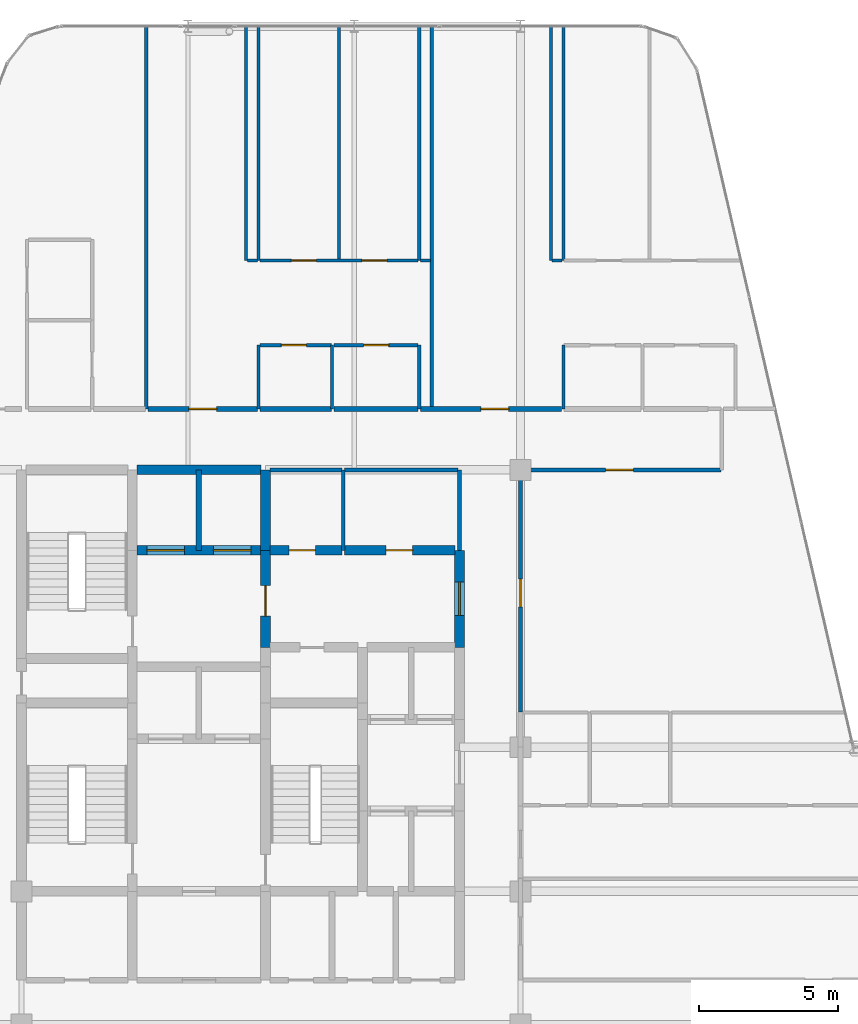
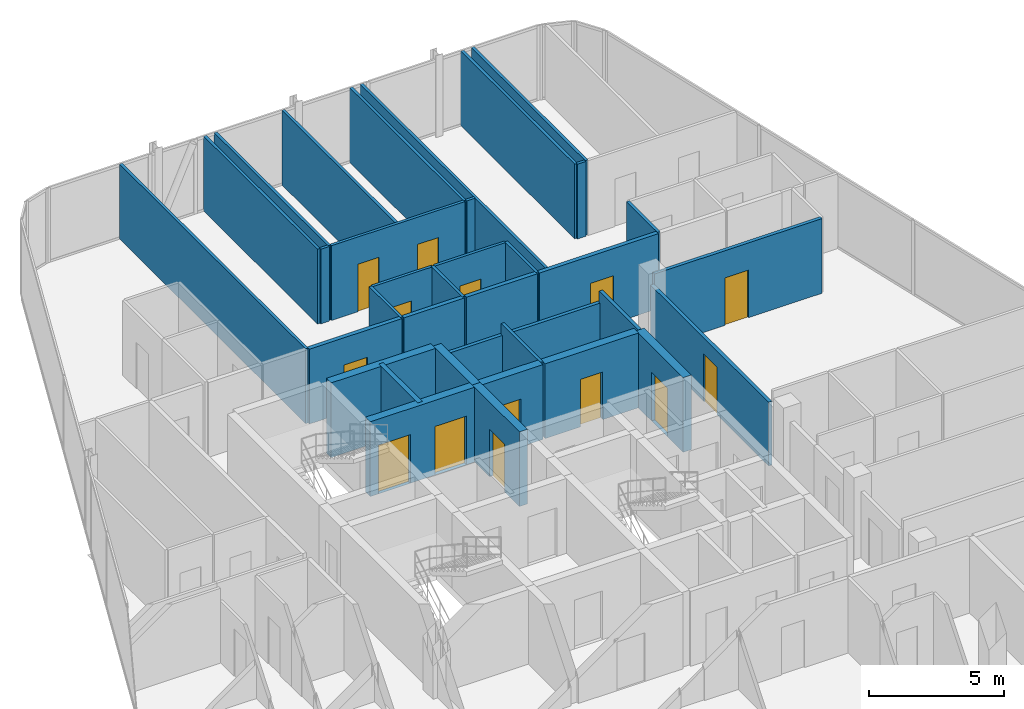
# One storey, part 27 of 29: 36 walls, 14 doors, 14 openings.
"""IFC4 building model written with IfcOpenShell, lengths in metres."""

import ifcopenshell
import ifcopenshell.guid

model = None  # the IFC model being written
_history = None  # IfcOwnerHistory: only IFC2X3 demands one
_inside = {}  # id of a spatial element -> (the spatial element, [elements in it])
_under = {}  # id of a project, library or spatial element -> (it, [spatial elements below it])
_declared = {}  # id of a project -> (the project, [libraries it declares])
_typed = {}  # id of a type object -> (the type object, [elements of that type])
_made_of = {}  # id of a material, layer set ... -> (it, [elements and type objects made of it])


def new_model(schema):
    """Start an empty IFC model of exactly this schema.

    Asked for "IFC4X3", IfcOpenShell would pick the latest addendum, in which some entities
    have other attributes; the version numbers below select the first issue.
    IFC2X3 requires an IfcOwnerHistory on every rooted entity: one is made here for all.
    """
    global model, _history
    if schema == "IFC4X3":
        model = ifcopenshell.file(schema_version=(4, 3, 0, 0))
    else:
        model = ifcopenshell.file(schema=schema)
    _inside.clear()
    _under.clear()
    _declared.clear()
    _typed.clear()
    _made_of.clear()
    _history = None
    if model.schema == "IFC2X3":
        org = make("IfcOrganization", Name="unknown")
        user = make(
            "IfcPersonAndOrganization",
            ThePerson=make("IfcPerson", FamilyName="unknown"),
            TheOrganization=org,
        )
        app = make(
            "IfcApplication",
            ApplicationDeveloper=org,
            Version="unknown",
            ApplicationFullName="unknown",
            ApplicationIdentifier="unknown",
        )
        _history = make(
            "IfcOwnerHistory",
            OwningUser=user,
            OwningApplication=app,
            ChangeAction="ADDED",
            CreationDate=0,
        )
    return model


def make(cls, **values):
    """One entity of the class cls with the attributes given. An attribute that is None is left unset."""
    return model.create_entity(
        cls, **{name: value for name, value in values.items() if value is not None}
    )


def rooted(cls, **values):
    """An entity with a GlobalId (a new one), such as an element, a storey or a relation."""
    return make(cls, GlobalId=ifcopenshell.guid.new(), OwnerHistory=_history, **values)


def si_unit(unit_type, name, prefix=None):
    """IfcSIUnit, for example si_unit("LENGTHUNIT", "METRE", prefix="MILLI")."""
    return make("IfcSIUnit", UnitType=unit_type, Prefix=prefix, Name=name)


def assignment(units):
    """IfcUnitAssignment: the units of a project."""
    return None if units is None else make("IfcUnitAssignment", Units=units)


def point(xyz):
    """IfcCartesianPoint."""
    return None if xyz is None else make("IfcCartesianPoint", Coordinates=xyz)


def direction(xyz):
    """IfcDirection."""
    return None if xyz is None else make("IfcDirection", DirectionRatios=xyz)


def frame(location, z_axis=None, x_axis=None):
    """IfcAxis2Placement3D, a coordinate frame: its origin and axes. An axis left out is left unset."""
    return make(
        "IfcAxis2Placement3D",
        Location=point(location),
        Axis=direction(z_axis),
        RefDirection=direction(x_axis),
    )


def frame_2d(location, x_axis=None):
    """IfcAxis2Placement2D, a coordinate frame in the plane: its origin and x axis."""
    return make(
        "IfcAxis2Placement2D", Location=point(location), RefDirection=direction(x_axis)
    )


def origin():
    """The frame at (0, 0, 0) with its axes left unset."""
    return frame((0.0, 0.0, 0.0))


def place(relative_to, where):
    """IfcLocalPlacement: puts the frame where relative to a parent placement (None: the world)."""
    return make(
        "IfcLocalPlacement", PlacementRelTo=relative_to, RelativePlacement=where
    )


def context(
    kind, dimensions, precision=None, world=None, true_north=None, identifier=None
):
    """IfcGeometricRepresentationContext, for example the 3D "Model" context."""
    return make(
        "IfcGeometricRepresentationContext",
        ContextIdentifier=identifier,
        ContextType=kind,
        CoordinateSpaceDimension=dimensions,
        Precision=precision,
        WorldCoordinateSystem=world,
        TrueNorth=true_north,
    )


def subcontext(parent, identifier, kind, view, scale=None):
    """IfcGeometricRepresentationSubContext, for example "Body" below "Model"."""
    return make(
        "IfcGeometricRepresentationSubContext",
        ContextIdentifier=identifier,
        ContextType=kind,
        ParentContext=parent,
        TargetScale=scale,
        TargetView=view,
    )


def project(units=None, contexts=None):
    """IfcProject with its units and contexts."""
    return rooted(
        "IfcProject",
        Name="project",
        RepresentationContexts=contexts,
        UnitsInContext=assignment(units),
    )


def spatial(cls, under=None, at=None, **own):
    """A site, building, storey or space (cls), placed at a placement, below another one or the project."""
    s = rooted(cls, ObjectPlacement=at, **own)
    if under is not None:
        _under.setdefault(under.id(), (under, []))[1].append(s)
    return s


def profile(cls, at=None, kind="AREA", **sizes):
    """A parametric profile (cls). Its sizes go by their IFC names, for example OverallWidth=200.0."""
    return make(cls, ProfileType=kind, Position=at, **sizes)


def rectangle(**sizes):
    """IfcRectangleProfileDef."""
    return profile("IfcRectangleProfileDef", **sizes)


def extrude(swept, where, along, depth):
    """IfcExtrudedAreaSolid: the profile swept, set in the frame where, extruded along a direction by depth."""
    return make(
        "IfcExtrudedAreaSolid",
        SweptArea=swept,
        Position=where,
        ExtrudedDirection=direction(along),
        Depth=depth,
    )


def shape(context_of_items, identifier, shape_type, items):
    """IfcShapeRepresentation: the items that make up one representation, for example the "Body"."""
    return make(
        "IfcShapeRepresentation",
        ContextOfItems=context_of_items,
        RepresentationIdentifier=identifier,
        RepresentationType=shape_type,
        Items=items,
    )


def material(Name=None, Category=None):
    """IfcMaterial."""
    return make("IfcMaterial", Name=Name, Category=Category)


def layer(
    of_material, thickness, ventilated=None, Name=None, Category=None, Priority=None
):
    """IfcMaterialLayer: one layer of a wall or slab, of a material (None: an air gap)."""
    return make(
        "IfcMaterialLayer",
        Material=of_material,
        LayerThickness=thickness,
        IsVentilated=ventilated,
        Name=Name,
        Category=Category,
        Priority=Priority,
    )


def layer_set(layers, Name=None):
    """IfcMaterialLayerSet."""
    return make("IfcMaterialLayerSet", MaterialLayers=layers, LayerSetName=Name)


def made_of(thing, what):
    """Note that an element or type object is made of a material, layer set ...; save() writes the relation."""
    if what is not None:
        _made_of.setdefault(what.id(), (what, []))[1].append(thing)
    return thing


def type_object(cls, material=None, **own):
    """A type object (cls), such as IfcWallType, which elements share."""
    return made_of(rooted(cls, **own), material)


def element(
    cls,
    number,
    at=None,
    inside=None,
    cuts=None,
    type_object=None,
    material=None,
    context=None,
    identifier="Body",
    shape_type=None,
    held_by="IfcProductDefinitionShape",
    body=None,
    shapes=None,
    **own,
):
    """One element of the class cls, such as IfcWall. Its Tag is "e" and its number.

    at: its placement. inside: the storey or other place that contains it. cuts: it is an
    opening in that element (IfcRelVoidsElement). A single representation is given by context,
    identifier, shape_type and body (its items); several are given by shapes. held_by: the class
    of the entity that holds the representations. save() writes the other relations.
    """
    e = rooted(cls, Tag="e%d" % number, ObjectPlacement=at, **own)
    if body is not None:
        shapes = [shape(context, identifier, shape_type, body)]
    if shapes is not None:
        e.Representation = make(held_by, Representations=shapes)
    if inside is not None:
        _inside.setdefault(inside.id(), (inside, []))[1].append(e)
    if cuts is not None:
        rooted(
            "IfcRelVoidsElement", RelatingBuildingElement=cuts, RelatedOpeningElement=e
        )
    if type_object is not None:
        _typed.setdefault(type_object.id(), (type_object, []))[1].append(e)
    return made_of(e, material)


def fill(opening, filler):
    """IfcRelFillsElement: the door or window that sits in an opening."""
    return rooted(
        "IfcRelFillsElement",
        RelatingOpeningElement=opening,
        RelatedBuildingElement=filler,
    )


def aggregate(whole, parts):
    """IfcRelAggregates: a whole, such as a stair, and the parts it consists of."""
    return rooted("IfcRelAggregates", RelatingObject=whole, RelatedObjects=parts)


def save(model, path):
    """Write the relations noted so far, then the file.

    IfcRelAggregates (storeys below a building ...), IfcRelContainedInSpatialStructure (elements
    in a storey), IfcRelDefinesByType, IfcRelAssociatesMaterial and IfcRelDeclares: one each for
    every whole, place, type object, material and project.
    """
    for whole, parts in _under.values():
        aggregate(whole, parts)
    for where, things in _inside.values():
        rooted(
            "IfcRelContainedInSpatialStructure",
            RelatedElements=things,
            RelatingStructure=where,
        )
    for kind, things in _typed.values():
        rooted("IfcRelDefinesByType", RelatedObjects=things, RelatingType=kind)
    for what, things in _made_of.values():
        rooted("IfcRelAssociatesMaterial", RelatedObjects=things, RelatingMaterial=what)
    for by, libraries in _declared.values():
        rooted("IfcRelDeclares", RelatingContext=by, RelatedDefinitions=libraries)
    model.write(path)


model = new_model("IFC4")

# Units and contexts
model_context = context("Model", 3, precision=1e-05, world=origin(), true_north=direction((0.0, 1.0)))
body_context = subcontext(model_context, "Body", "Model", "MODEL_VIEW")
ifc_project = project(units=[si_unit("LENGTHUNIT", "METRE"), si_unit("AREAUNIT", "SQUARE_METRE"), si_unit("VOLUMEUNIT", "CUBIC_METRE"), si_unit("PLANEANGLEUNIT", "RADIAN"), si_unit("MASSUNIT", "GRAM", prefix="KILO")], contexts=[model_context])

# Site, building, storey
site_placement = place(None, origin())
site = spatial("IfcSite", under=ifc_project, at=site_placement, CompositionType="ELEMENT")
building_placement = place(site_placement, origin())
building = spatial("IfcBuilding", under=site, at=building_placement, Name="Keshet Zoharim Tower", CompositionType="ELEMENT")
storey_placement = place(building_placement, frame((0.0, 0.0, 214.300048828125)))
storey = spatial("IfcBuildingStorey", under=building, at=storey_placement, Name="L53", CompositionType="ELEMENT", Elevation=214.300048828125)

# Wall
ifc_material_1 = material(Name="Gypsum Plasterboard", Category="gypsum")
ifc_layer_1 = layer(ifc_material_1, 0.14990234375)
ifc_layer_set_1 = layer_set([ifc_layer_1], Name="Gypsum Plasterboard")
wall_type_1 = type_object("IfcWallType", Name="WL-CLIN-150", PredefinedType="STANDARD", material=ifc_layer_set_1)
wall_1_placement = place(storey_placement, frame((30.800048828125, 35.0, 0.0), z_axis=(0.0, 0.0, 1.0), x_axis=(0.0, 1.0, 0.0)))
element("IfcWall", 1, at=wall_1_placement, inside=storey, type_object=wall_type_1, Name="L53 Interior Wall 066", PredefinedType="STANDARD", context=body_context, shape_type="SweptSolid", body=[
    extrude(rectangle(XDim=2.89990234375, YDim=0.14990234375, at=frame_2d((1.449951171875, 0.0))), origin(), (0.0, 0.0, 1.0), 3.3798828125),
])

# Wall, opening, door
wall_2_placement = place(storey_placement, frame((33.0, 29.159912109375, 0.0), z_axis=(0.0, 0.0, 1.0), x_axis=(0.0, 1.0, 0.0)))
wall_2 = element("IfcWall", 2, at=wall_2_placement, inside=storey, type_object=wall_type_1, Name="L53 Interior Wall 071", PredefinedType="STANDARD", context=body_context, shape_type="SweptSolid", body=[
    extrude(rectangle(XDim=8.739990234375, YDim=0.14990234375, at=frame_2d((4.3701171875, 0.0))), origin(), (0.0, 0.0, 1.0), 2.8798828125),
])
opening_1_placement = place(wall_2_placement, frame((3.799072265625, 0.0, 0.0)))
opening_1 = element("IfcOpeningElement", 3, at=opening_1_placement, cuts=wall_2, Name="Opening D-F310", PredefinedType="OPENING", context=body_context, shape_type="SweptSolid", body=[
    extrude(rectangle(XDim=1.0, YDim=2.14990234375, at=frame_2d((0.5, 1.074951171875))), frame((0.0, 0.0849609375, 0.0), z_axis=(0.0, -1.0, 0.0), x_axis=(1.0, 0.0, 0.0)), (0.0, 0.0, 1.0), 0.169921875),
])
ifc_material_2 = material(Name="Hardwood Timber", Category="wood")
door_type_1 = type_object("IfcDoorType", Name="DR-FD30-100", OperationType="NOTDEFINED", PredefinedType="DOOR", material=ifc_material_2)
door_1_placement = place(opening_1_placement, origin())
door_1 = element("IfcDoor", 4, at=door_1_placement, inside=storey, type_object=door_type_1, Name="L53 North West Residents Services Suite Door 1", OperationType="SINGLE_SWING_LEFT", OverallHeight=2.14990234375, OverallWidth=1.0, PredefinedType="DOOR", context=body_context, shape_type="SweptSolid", body=[
    extrude(rectangle(XDim=1.0, YDim=2.14990234375, at=frame_2d((0.5, 1.074951171875))), frame((0.0, 0.02490234375, 0.0), z_axis=(0.0, -1.0, 0.0), x_axis=(1.0, 0.0, 0.0)), (0.0, 0.0, 1.0), 0.050048828125),
])
fill(opening_1, door_1)

# Walls
wall_3_placement = place(storey_placement, frame((23.9599609375, 37.89990234375, 0.0), z_axis=(0.0, 0.0, 1.0), x_axis=(1.0, 0.0, 0.0)))
element("IfcWall", 5, at=wall_3_placement, inside=storey, type_object=wall_type_1, Name="L53 Interior Wall 176", PredefinedType="STANDARD", context=body_context, shape_type="SweptSolid", body=[
    extrude(rectangle(XDim=2.594970703125, YDim=0.14990234375, at=frame_2d((1.29736328125, 0.0))), origin(), (0.0, 0.0, 1.0), 2.8798828125),
])
wall_4_placement = place(storey_placement, frame((26.64501953125, 37.89990234375, 0.0), z_axis=(0.0, 0.0, 1.0), x_axis=(1.0, 0.0, 0.0)))
element("IfcWall", 6, at=wall_4_placement, inside=storey, type_object=wall_type_1, Name="L53 Interior Wall 177", PredefinedType="STANDARD", context=body_context, shape_type="SweptSolid", body=[
    extrude(rectangle(XDim=4.094970703125, YDim=0.14990234375, at=frame_2d((2.04736328125, 0.0))), origin(), (0.0, 0.0, 1.0), 2.8798828125),
])

# Wall, opening, door
wall_5_placement = place(storey_placement, frame((33.06005859375, 37.89990234375, 0.0), z_axis=(0.0, 0.0, 1.0), x_axis=(1.0, 0.0, 0.0)))
wall_5 = element("IfcWall", 7, at=wall_5_placement, inside=storey, type_object=wall_type_1, Name="L53 Interior Wall 178", PredefinedType="STANDARD", context=body_context, shape_type="SweptSolid", body=[
    extrude(rectangle(XDim=7.1640625, YDim=0.14990234375, at=frame_2d((3.58203125, 0.0))), origin(), (0.0, 0.0, 1.0), 3.3798828125),
])
opening_2_placement = place(wall_5_placement, frame((3.00390625, 0.0, 0.0)))
opening_2 = element("IfcOpeningElement", 8, at=opening_2_placement, cuts=wall_5, Name="Opening D-F310", PredefinedType="OPENING", context=body_context, shape_type="SweptSolid", body=[
    extrude(rectangle(XDim=1.0, YDim=2.14990234375, at=frame_2d((0.5, 1.074951171875))), frame((0.0, 0.0849609375, 0.0), z_axis=(0.0, -1.0, 0.0), x_axis=(1.0, 0.0, 0.0)), (0.0, 0.0, 1.0), 0.169921875),
])
door_2_placement = place(opening_2_placement, origin())
door_2 = element("IfcDoor", 9, at=door_2_placement, inside=storey, type_object=door_type_1, Name="L53 North West Residents Services Suite Door 2", OperationType="SINGLE_SWING_RIGHT", OverallHeight=2.14990234375, OverallWidth=1.0, PredefinedType="DOOR", context=body_context, shape_type="SweptSolid", body=[
    extrude(rectangle(XDim=1.0, YDim=2.14990234375, at=frame_2d((0.5, 1.074951171875))), frame((0.0, 0.02490234375, 0.0), z_axis=(0.0, -1.0, 0.0), x_axis=(1.0, 0.0, 0.0)), (0.0, 0.0, 1.0), 0.050048828125),
])
fill(opening_2, door_2)

ifc_material_3 = material(Name="Concrete C60/75", Category="concrete")
ifc_layer_2 = layer(ifc_material_3, 0.35009765625)
ifc_layer_set_2 = layer_set([ifc_layer_2], Name="Concrete C60/75")
wall_type_2 = type_object("IfcWallType", Name="WL-CORE-350", PredefinedType="SHEAR", material=ifc_layer_set_2)
wall_6_placement = place(storey_placement, frame((23.800048828125, 31.5, 0.0), z_axis=(0.0, 0.0, 1.0), x_axis=(0.0, 1.0, 0.0)))
wall_6 = element("IfcWall", 10, at=wall_6_placement, inside=storey, type_object=wall_type_2, Name="L53 Core Shear Wall 042", PredefinedType="SHEAR", context=body_context, shape_type="SweptSolid", body=[
    extrude(rectangle(XDim=3.5, YDim=0.35009765625, at=frame_2d((1.75, 0.0))), origin(), (0.0, 0.0, 1.0), 3.3798828125),
])
opening_3_placement = place(wall_6_placement, frame((1.126953125, 0.0, 0.0)))
opening_3 = element("IfcOpeningElement", 11, at=opening_3_placement, cuts=wall_6, Name="Opening D-F611", PredefinedType="OPENING", context=body_context, shape_type="SweptSolid", body=[
    extrude(rectangle(XDim=1.10009765625, YDim=2.14990234375, at=frame_2d((0.550048828125, 1.074951171875))), frame((0.0, 0.18505859375, 0.0), z_axis=(0.0, -1.0, 0.0), x_axis=(1.0, 0.0, 0.0)), (0.0, 0.0, 1.0), 0.3701171875),
])
door_type_2 = type_object("IfcDoorType", Name="DR-FD60-110", OperationType="NOTDEFINED", PredefinedType="DOOR", material=ifc_material_2)
door_3_placement = place(opening_3_placement, origin())
door_3 = element("IfcDoor", 12, at=door_3_placement, inside=storey, type_object=door_type_2, Name="L53 Firefighting Lobby Fire Door", OperationType="SINGLE_SWING_RIGHT", OverallHeight=2.14990234375, OverallWidth=1.10009765625, PredefinedType="DOOR", context=body_context, shape_type="SweptSolid", body=[
    extrude(rectangle(XDim=1.10009765625, YDim=2.14990234375, at=frame_2d((0.550048828125, 1.074951171875))), frame((0.0, 0.02490234375, 0.0), z_axis=(0.0, -1.0, 0.0), x_axis=(1.0, 0.0, 0.0)), (0.0, 0.0, 1.0), 0.050048828125),
])
fill(opening_3, door_3)

# Wall
wall_7_placement = place(storey_placement, frame((23.800048828125, 35.0, 0.0), z_axis=(0.0, 0.0, 1.0), x_axis=(0.0, 1.0, 0.0)))
element("IfcWall", 13, at=wall_7_placement, inside=storey, type_object=wall_type_2, Name="L53 Core Shear Wall 043", PredefinedType="SHEAR", context=body_context, shape_type="SweptSolid", body=[
    extrude(rectangle(XDim=2.89990234375, YDim=0.35009765625, at=frame_2d((1.449951171875, 0.0))), origin(), (0.0, 0.0, 1.0), 3.3798828125),
])

# Wall, opening, door
wall_8_placement = place(storey_placement, frame((30.800048828125, 31.5, 0.0), z_axis=(0.0, 0.0, 1.0), x_axis=(0.0, 1.0, 0.0)))
wall_8 = element("IfcWall", 14, at=wall_8_placement, inside=storey, type_object=wall_type_2, Name="L53 Core Shear Wall 065", PredefinedType="SHEAR", context=body_context, shape_type="SweptSolid", body=[
    extrude(rectangle(XDim=3.5, YDim=0.35009765625, at=frame_2d((1.75, 0.0))), origin(), (0.0, 0.0, 1.0), 3.3798828125),
])
opening_4_placement = place(wall_8_placement, frame((1.14990234375, 0.0, 0.0)))
opening_4 = element("IfcOpeningElement", 15, at=opening_4_placement, cuts=wall_8, Name="Opening D-F612", PredefinedType="OPENING", context=body_context, shape_type="SweptSolid", body=[
    extrude(rectangle(XDim=1.199951171875, YDim=2.199951171875, at=frame_2d((0.60009765625, 1.10009765625))), frame((0.0, 0.18505859375, 0.0), z_axis=(0.0, -1.0, 0.0), x_axis=(1.0, 0.0, 0.0)), (0.0, 0.0, 1.0), 0.3701171875),
])
door_type_3 = type_object("IfcDoorType", Name="DR-FD60-120", OperationType="NOTDEFINED", PredefinedType="DOOR", material=ifc_material_2)
door_4_placement = place(opening_4_placement, origin())
door_4 = element("IfcDoor", 16, at=door_4_placement, inside=storey, type_object=door_type_3, Name="L53 North Lift Lobby East Fire Door", OperationType="SINGLE_SWING_RIGHT", OverallHeight=2.199951171875, OverallWidth=1.199951171875, PredefinedType="DOOR", context=body_context, shape_type="SweptSolid", body=[
    extrude(rectangle(XDim=1.199951171875, YDim=2.199951171875, at=frame_2d((0.60009765625, 1.10009765625))), frame((0.0, 0.02490234375, 0.0), z_axis=(0.0, -1.0, 0.0), x_axis=(1.0, 0.0, 0.0)), (0.0, 0.0, 1.0), 0.050048828125),
])
fill(opening_4, door_4)

# Wall, openings, doors
wall_9_placement = place(storey_placement, frame((19.159912109375, 35.0, 0.0), z_axis=(0.0, 0.0, 1.0), x_axis=(1.0, 0.0, 0.0)))
wall_9 = element("IfcWall", 17, at=wall_9_placement, inside=storey, type_object=wall_type_2, Name="L53 Core Shear Wall 171", PredefinedType="SHEAR", context=body_context, shape_type="SweptSolid", body=[
    extrude(rectangle(XDim=4.47998046875, YDim=0.35009765625, at=frame_2d((2.239990234375, 0.0))), origin(), (0.0, 0.0, 1.0), 3.3798828125),
])
opening_5_placement = place(wall_9_placement, frame((0.364990234375, 0.0, 0.0)))
opening_5 = element("IfcOpeningElement", 18, at=opening_5_placement, cuts=wall_9, Name="Opening LD-02", PredefinedType="OPENING", context=body_context, shape_type="SweptSolid", body=[
    extrude(rectangle(XDim=1.35009765625, YDim=2.199951171875, at=frame_2d((0.675048828125, 1.10009765625))), frame((0.0, 0.18505859375, 0.0), z_axis=(0.0, -1.0, 0.0), x_axis=(1.0, 0.0, 0.0)), (0.0, 0.0, 1.0), 0.3701171875),
])
opening_6_placement = place(wall_9_placement, frame((2.764892578125, 0.0, 0.0)))
opening_6 = element("IfcOpeningElement", 19, at=opening_6_placement, cuts=wall_9, Name="Opening LD-02", PredefinedType="OPENING", context=body_context, shape_type="SweptSolid", body=[
    extrude(rectangle(XDim=1.35009765625, YDim=2.199951171875, at=frame_2d((0.675048828125, 1.10009765625))), frame((0.0, 0.18505859375, 0.0), z_axis=(0.0, -1.0, 0.0), x_axis=(1.0, 0.0, 0.0)), (0.0, 0.0, 1.0), 0.3701171875),
])
ifc_material_4 = material(Name="Steel S355", Category="steel")
door_type_4 = type_object("IfcDoorType", Name="DR-LD02-135", OperationType="DOUBLE_DOOR_SLIDING", PredefinedType="DOOR", material=ifc_material_4)
door_5_placement = place(opening_5_placement, origin())
door_5 = element("IfcDoor", 20, at=door_5_placement, inside=storey, type_object=door_type_4, Name="L53 Firefighting Lift Landing Door FF-01", OperationType="DOUBLE_DOOR_SLIDING", OverallHeight=2.199951171875, OverallWidth=1.35009765625, PredefinedType="DOOR", context=body_context, shape_type="SweptSolid", body=[
    extrude(rectangle(XDim=1.35009765625, YDim=2.199951171875, at=frame_2d((0.675048828125, 1.10009765625))), frame((0.0, 0.02490234375, 0.0), z_axis=(0.0, -1.0, 0.0), x_axis=(1.0, 0.0, 0.0)), (0.0, 0.0, 1.0), 0.050048828125),
])
fill(opening_5, door_5)
door_6_placement = place(opening_6_placement, origin())
door_6 = element("IfcDoor", 21, at=door_6_placement, inside=storey, type_object=door_type_4, Name="L53 Firefighting Lift Landing Door FF-02", OperationType="DOUBLE_DOOR_SLIDING", OverallHeight=2.199951171875, OverallWidth=1.35009765625, PredefinedType="DOOR", context=body_context, shape_type="SweptSolid", body=[
    extrude(rectangle(XDim=1.35009765625, YDim=2.199951171875, at=frame_2d((0.675048828125, 1.10009765625))), frame((0.0, 0.02490234375, 0.0), z_axis=(0.0, -1.0, 0.0), x_axis=(1.0, 0.0, 0.0)), (0.0, 0.0, 1.0), 0.050048828125),
])
fill(opening_6, door_6)

# Wall, opening, door
wall_10_placement = place(storey_placement, frame((23.9599609375, 35.0, 0.0), z_axis=(0.0, 0.0, 1.0), x_axis=(1.0, 0.0, 0.0)))
wall_10 = element("IfcWall", 22, at=wall_10_placement, inside=storey, type_object=wall_type_2, Name="L53 Core Shear Wall 172", PredefinedType="SHEAR", context=body_context, shape_type="SweptSolid", body=[
    extrude(rectangle(XDim=2.594970703125, YDim=0.35009765625, at=frame_2d((1.29736328125, 0.0))), origin(), (0.0, 0.0, 1.0), 3.3798828125),
])
opening_7_placement = place(wall_10_placement, frame((0.69091796875, 0.0, 0.0)))
opening_7 = element("IfcOpeningElement", 23, at=opening_7_placement, cuts=wall_10, Name="Opening D-F695", PredefinedType="OPENING", context=body_context, shape_type="SweptSolid", body=[
    extrude(rectangle(XDim=0.949951171875, YDim=2.14990234375, at=frame_2d((0.47509765625, 1.074951171875))), frame((0.0, 0.18505859375, 0.0), z_axis=(0.0, -1.0, 0.0), x_axis=(1.0, 0.0, 0.0)), (0.0, 0.0, 1.0), 0.3701171875),
])
door_type_5 = type_object("IfcDoorType", Name="DR-FD60-095", OperationType="NOTDEFINED", PredefinedType="DOOR", material=ifc_material_2)
door_7_placement = place(opening_7_placement, frame((0.949951171875, 0.0, 0.0), z_axis=(0.0, 0.0, 1.0), x_axis=(-1.0, 0.0, 0.0)))
door_7 = element("IfcDoor", 24, at=door_7_placement, inside=storey, type_object=door_type_5, Name="L53 Laundry Room Door", OperationType="SINGLE_SWING_RIGHT", OverallHeight=2.14990234375, OverallWidth=0.949951171875, PredefinedType="DOOR", context=body_context, shape_type="SweptSolid", body=[
    extrude(rectangle(XDim=0.949951171875, YDim=2.14990234375, at=frame_2d((0.47509765625, 1.074951171875))), frame((0.0, 0.02490234375, 0.0), z_axis=(0.0, -1.0, 0.0), x_axis=(1.0, 0.0, 0.0)), (0.0, 0.0, 1.0), 0.050048828125),
])
fill(opening_7, door_7)

wall_11_placement = place(storey_placement, frame((26.64501953125, 35.0, 0.0), z_axis=(0.0, 0.0, 1.0), x_axis=(1.0, 0.0, 0.0)))
wall_11 = element("IfcWall", 25, at=wall_11_placement, inside=storey, type_object=wall_type_2, Name="L53 Core Shear Wall 173", PredefinedType="SHEAR", context=body_context, shape_type="SweptSolid", body=[
    extrude(rectangle(XDim=3.994873046875, YDim=0.35009765625, at=frame_2d((1.99755859375, 0.0))), origin(), (0.0, 0.0, 1.0), 3.3798828125),
])
opening_8_placement = place(wall_11_placement, frame((1.508056640625, 0.0, 0.0)))
opening_8 = element("IfcOpeningElement", 26, at=opening_8_placement, cuts=wall_11, Name="Opening D-F695", PredefinedType="OPENING", context=body_context, shape_type="SweptSolid", body=[
    extrude(rectangle(XDim=0.949951171875, YDim=2.14990234375, at=frame_2d((0.47509765625, 1.074951171875))), frame((0.0, 0.18505859375, 0.0), z_axis=(0.0, -1.0, 0.0), x_axis=(1.0, 0.0, 0.0)), (0.0, 0.0, 1.0), 0.3701171875),
])
door_8_placement = place(opening_8_placement, frame((0.949951171875, 0.0, 0.0), z_axis=(0.0, 0.0, 1.0), x_axis=(-1.0, 0.0, 0.0)))
door_8 = element("IfcDoor", 27, at=door_8_placement, inside=storey, type_object=door_type_5, Name="L53 Quiet Study Room Door", OperationType="SINGLE_SWING_LEFT", OverallHeight=2.14990234375, OverallWidth=0.949951171875, PredefinedType="DOOR", context=body_context, shape_type="SweptSolid", body=[
    extrude(rectangle(XDim=0.949951171875, YDim=2.14990234375, at=frame_2d((0.47509765625, 1.074951171875))), frame((0.0, 0.02490234375, 0.0), z_axis=(0.0, -1.0, 0.0), x_axis=(1.0, 0.0, 0.0)), (0.0, 0.0, 1.0), 0.050048828125),
])
fill(opening_8, door_8)

# Wall
wall_12_placement = place(storey_placement, frame((19.159912109375, 37.89990234375, 0.0), z_axis=(0.0, 0.0, 1.0), x_axis=(1.0, 0.0, 0.0)))
element("IfcWall", 28, at=wall_12_placement, inside=storey, type_object=wall_type_2, Name="L53 Core Shear Wall 175", PredefinedType="SHEAR", context=body_context, shape_type="SweptSolid", body=[
    extrude(rectangle(XDim=4.47998046875, YDim=0.35009765625, at=frame_2d((2.239990234375, 0.0))), origin(), (0.0, 0.0, 1.0), 3.3798828125),
])

# Wall, opening, door
ifc_layer_3 = layer(ifc_material_1, 0.179931640625)
ifc_layer_set_3 = layer_set([ifc_layer_3], Name="Gypsum Plasterboard")
wall_type_3 = type_object("IfcWallType", Name="WL-CORR-180", PredefinedType="STANDARD", material=ifc_layer_set_3)
wall_13_placement = place(storey_placement, frame((19.554931640625, 40.10009765625, 0.0), z_axis=(0.0, 0.0, 1.0), x_axis=(1.0, 0.0, 0.0)))
wall_13 = element("IfcWall", 29, at=wall_13_placement, inside=storey, type_object=wall_type_3, Name="L53 Interior Wall 184", PredefinedType="STANDARD", context=body_context, shape_type="SweptSolid", body=[
    extrude(rectangle(XDim=3.9599609375, YDim=0.179931640625, at=frame_2d((1.97998046875, 0.0))), origin(), (0.0, 0.0, 1.0), 3.3798828125),
])
opening_9_placement = place(wall_13_placement, frame((1.47998046875, 0.0, 0.0)))
opening_9 = element("IfcOpeningElement", 30, at=opening_9_placement, cuts=wall_13, Name="Opening D-F310", PredefinedType="OPENING", context=body_context, shape_type="SweptSolid", body=[
    extrude(rectangle(XDim=1.0, YDim=2.14990234375, at=frame_2d((0.5, 1.074951171875))), frame((0.0, 0.10009765625, 0.0), z_axis=(0.0, -1.0, 0.0), x_axis=(1.0, 0.0, 0.0)), (0.0, 0.0, 1.0), 0.199951171875),
])
door_9_placement = place(opening_9_placement, origin())
door_9 = element("IfcDoor", 31, at=door_9_placement, inside=storey, type_object=door_type_1, Name="Apartment 5305 Entrance Door", OperationType="SINGLE_SWING_RIGHT", OverallHeight=2.14990234375, OverallWidth=1.0, PredefinedType="DOOR", context=body_context, shape_type="SweptSolid", body=[
    extrude(rectangle(XDim=1.0, YDim=2.14990234375, at=frame_2d((0.5, 1.074951171875))), frame((0.0, 0.02490234375, 0.0), z_axis=(0.0, -1.0, 0.0), x_axis=(1.0, 0.0, 0.0)), (0.0, 0.0, 1.0), 0.050048828125),
])
fill(opening_9, door_9)

# Walls
wall_14_placement = place(storey_placement, frame((23.60498046875, 40.10009765625, 0.0), z_axis=(0.0, 0.0, 1.0), x_axis=(1.0, 0.0, 0.0)))
element("IfcWall", 32, at=wall_14_placement, inside=storey, type_object=wall_type_3, Name="L53 Interior Wall 185", PredefinedType="STANDARD", context=body_context, shape_type="SweptSolid", body=[
    extrude(rectangle(XDim=2.572998046875, YDim=0.179931640625, at=frame_2d((1.28662109375, 0.0))), origin(), (0.0, 0.0, 1.0), 3.3798828125),
])
wall_15_placement = place(storey_placement, frame((26.26806640625, 40.10009765625, 0.0), z_axis=(0.0, 0.0, 1.0), x_axis=(1.0, 0.0, 0.0)))
element("IfcWall", 33, at=wall_15_placement, inside=storey, type_object=wall_type_3, Name="L53 Interior Wall 186", PredefinedType="STANDARD", context=body_context, shape_type="SweptSolid", body=[
    extrude(rectangle(XDim=3.036865234375, YDim=0.179931640625, at=frame_2d((1.5185546875, 0.0))), origin(), (0.0, 0.0, 1.0), 3.3798828125),
])

# Wall, opening, door
wall_16_placement = place(storey_placement, frame((29.39501953125, 40.10009765625, 0.0), z_axis=(0.0, 0.0, 1.0), x_axis=(1.0, 0.0, 0.0)))
wall_16 = element("IfcWall", 34, at=wall_16_placement, inside=storey, type_object=wall_type_3, Name="L53 Interior Wall 187", PredefinedType="STANDARD", context=body_context, shape_type="SweptSolid", body=[
    extrude(rectangle(XDim=5.090087890625, YDim=0.179931640625, at=frame_2d((2.544921875, 0.0))), origin(), (0.0, 0.0, 1.0), 3.3798828125),
])
opening_10_placement = place(wall_16_placement, frame((2.174072265625, 0.0, 0.0)))
opening_10 = element("IfcOpeningElement", 35, at=opening_10_placement, cuts=wall_16, Name="Opening D-F310", PredefinedType="OPENING", context=body_context, shape_type="SweptSolid", body=[
    extrude(rectangle(XDim=1.0, YDim=2.14990234375, at=frame_2d((0.5, 1.074951171875))), frame((0.0, 0.10009765625, 0.0), z_axis=(0.0, -1.0, 0.0), x_axis=(1.0, 0.0, 0.0)), (0.0, 0.0, 1.0), 0.199951171875),
])
door_10_placement = place(opening_10_placement, origin())
door_10 = element("IfcDoor", 36, at=door_10_placement, inside=storey, type_object=door_type_1, Name="Apartment 5306 Entrance Door", OperationType="SINGLE_SWING_LEFT", OverallHeight=2.14990234375, OverallWidth=1.0, PredefinedType="DOOR", context=body_context, shape_type="SweptSolid", body=[
    extrude(rectangle(XDim=1.0, YDim=2.14990234375, at=frame_2d((0.5, 1.074951171875))), frame((0.0, 0.02490234375, 0.0), z_axis=(0.0, -1.0, 0.0), x_axis=(1.0, 0.0, 0.0)), (0.0, 0.0, 1.0), 0.050048828125),
])
fill(opening_10, door_10)

# Walls
ifc_material_5 = material(Name="Concrete C50/60", Category="concrete")
ifc_layer_4 = layer(ifc_material_5, 0.199951171875)
ifc_layer_set_4 = layer_set([ifc_layer_4], Name="Concrete C50/60")
wall_type_4 = type_object("IfcWallType", Name="WL-FIRE-200", PredefinedType="STANDARD", material=ifc_layer_set_4)
wall_17_placement = place(storey_placement, frame((21.39990234375, 35.0, 0.0), z_axis=(0.0, 0.0, 1.0), x_axis=(0.0, 1.0, 0.0)))
element("IfcWall", 37, at=wall_17_placement, inside=storey, type_object=wall_type_4, Name="L53 Interior Wall 033", PredefinedType="STANDARD", context=body_context, shape_type="SweptSolid", body=[
    extrude(rectangle(XDim=2.89990234375, YDim=0.199951171875, at=frame_2d((1.449951171875, 0.0))), origin(), (0.0, 0.0, 1.0), 3.3798828125),
])
ifc_layer_5 = layer(ifc_material_1, 0.1201171875)
ifc_layer_set_5 = layer_set([ifc_layer_5], Name="Gypsum Plasterboard")
wall_type_5 = type_object("IfcWallType", Name="WL-PART-120", PredefinedType="PARTITIONING", material=ifc_layer_set_5)
wall_18_placement = place(storey_placement, frame((19.5, 40.10009765625, 0.0), z_axis=(0.0, 0.0, 1.0), x_axis=(0.0, 1.0, 0.0)))
element("IfcWall", 38, at=wall_18_placement, inside=storey, type_object=wall_type_5, Name="L53 Interior Wall 030", PredefinedType="PARTITIONING", context=body_context, shape_type="SweptSolid", body=[
    extrude(rectangle(XDim=13.789794921875, YDim=0.1201171875, at=frame_2d((6.89501953125, 0.0))), origin(), (0.0, 0.0, 1.0), 3.3798828125),
])
wall_19_placement = place(storey_placement, frame((23.10009765625, 45.449951171875, 0.0), z_axis=(0.0, 0.0, 1.0), x_axis=(0.0, 1.0, 0.0)))
element("IfcWall", 39, at=wall_19_placement, inside=storey, type_object=wall_type_5, Name="L53 Interior Wall 034", PredefinedType="PARTITIONING", context=body_context, shape_type="SweptSolid", body=[
    extrude(rectangle(XDim=8.43994140625, YDim=0.1201171875, at=frame_2d((4.219970703125, 0.0))), origin(), (0.0, 0.0, 1.0), 3.3798828125),
])
wall_20_placement = place(storey_placement, frame((23.550048828125, 40.10009765625, 0.0), z_axis=(0.0, 0.0, 1.0), x_axis=(0.0, 1.0, 0.0)))
element("IfcWall", 40, at=wall_20_placement, inside=storey, type_object=wall_type_5, Name="L53 Interior Wall 035", PredefinedType="PARTITIONING", context=body_context, shape_type="SweptSolid", body=[
    extrude(rectangle(XDim=2.2998046875, YDim=0.1201171875, at=frame_2d((1.14990234375, 0.0))), origin(), (0.0, 0.0, 1.0), 3.3798828125),
])
for number, where, z_axis, x_axis, name in (
    (41, (23.550048828125, 45.449951171875, 0.0), (0.0, 0.0, 1.0), (0.0, 1.0, 0.0), "L53 Interior Wall 036"),
    (42, (26.449951171875, 45.449951171875, 0.0), (0.0, 0.0, 1.0), (0.0, 1.0, 0.0), "L53 Interior Wall 047"),
):
    element("IfcWall", number, at=place(storey_placement, frame(where, z_axis=z_axis, x_axis=x_axis)), inside=storey, type_object=wall_type_5, Name=name, PredefinedType="PARTITIONING", context=body_context, shape_type="SweptSolid", body=[
        extrude(rectangle(XDim=8.43994140625, YDim=0.1201171875, at=frame_2d((4.219970703125, 0.0))), origin(), (0.0, 0.0, 1.0), 3.3798828125),
    ])
wall_21_placement = place(storey_placement, frame((26.60009765625, 35.0, 0.0), z_axis=(0.0, 0.0, 1.0), x_axis=(0.0, 1.0, 0.0)))
element("IfcWall", 43, at=wall_21_placement, inside=storey, type_object=wall_type_5, Name="L53 Interior Wall 048", PredefinedType="PARTITIONING", context=body_context, shape_type="SweptSolid", body=[
    extrude(rectangle(XDim=2.89990234375, YDim=0.1201171875, at=frame_2d((1.449951171875, 0.0))), origin(), (0.0, 0.0, 1.0), 3.3798828125),
])
wall_22_placement = place(storey_placement, frame((29.35009765625, 45.449951171875, 0.0), z_axis=(0.0, 0.0, 1.0), x_axis=(0.0, 1.0, 0.0)))
element("IfcWall", 44, at=wall_22_placement, inside=storey, type_object=wall_type_5, Name="L53 Interior Wall 057", PredefinedType="PARTITIONING", context=body_context, shape_type="SweptSolid", body=[
    extrude(rectangle(XDim=8.43994140625, YDim=0.1201171875, at=frame_2d((4.219970703125, 0.0))), origin(), (0.0, 0.0, 1.0), 3.3798828125),
])
wall_23_placement = place(storey_placement, frame((29.800048828125, 40.10009765625, 0.0), z_axis=(0.0, 0.0, 1.0), x_axis=(0.0, 1.0, 0.0)))
element("IfcWall", 45, at=wall_23_placement, inside=storey, type_object=wall_type_5, Name="L53 Interior Wall 060", PredefinedType="PARTITIONING", context=body_context, shape_type="SweptSolid", body=[
    extrude(rectangle(XDim=13.789794921875, YDim=0.1201171875, at=frame_2d((6.89501953125, 0.0))), origin(), (0.0, 0.0, 1.0), 3.3798828125),
])
wall_24_placement = place(storey_placement, frame((34.10009765625, 45.449951171875, 0.0), z_axis=(0.0, 0.0, 1.0), x_axis=(0.0, 1.0, 0.0)))
element("IfcWall", 46, at=wall_24_placement, inside=storey, type_object=wall_type_5, Name="L53 Interior Wall 072", PredefinedType="PARTITIONING", context=body_context, shape_type="SweptSolid", body=[
    extrude(rectangle(XDim=8.43994140625, YDim=0.1201171875, at=frame_2d((4.219970703125, 0.0))), origin(), (0.0, 0.0, 1.0), 3.3798828125),
])
wall_25_placement = place(storey_placement, frame((34.550048828125, 40.10009765625, 0.0), z_axis=(0.0, 0.0, 1.0), x_axis=(0.0, 1.0, 0.0)))
element("IfcWall", 47, at=wall_25_placement, inside=storey, type_object=wall_type_5, Name="L53 Interior Wall 074", PredefinedType="PARTITIONING", context=body_context, shape_type="SweptSolid", body=[
    extrude(rectangle(XDim=2.2998046875, YDim=0.1201171875, at=frame_2d((1.14990234375, 0.0))), origin(), (0.0, 0.0, 1.0), 3.3798828125),
])
wall_26_placement = place(storey_placement, frame((34.550048828125, 45.449951171875, 0.0), z_axis=(0.0, 0.0, 1.0), x_axis=(0.0, 1.0, 0.0)))
element("IfcWall", 48, at=wall_26_placement, inside=storey, type_object=wall_type_5, Name="L53 Interior Wall 075", PredefinedType="PARTITIONING", context=body_context, shape_type="SweptSolid", body=[
    extrude(rectangle(XDim=8.43994140625, YDim=0.1201171875, at=frame_2d((4.219970703125, 0.0))), origin(), (0.0, 0.0, 1.0), 3.3798828125),
])

# Wall, opening, door
wall_27_placement = place(storey_placement, frame((23.60498046875, 42.39990234375, 0.0), z_axis=(0.0, 0.0, 1.0), x_axis=(1.0, 0.0, 0.0)))
wall_27 = element("IfcWall", 49, at=wall_27_placement, inside=storey, type_object=wall_type_5, Name="L53 Interior Wall 193", PredefinedType="PARTITIONING", context=body_context, shape_type="SweptSolid", body=[
    extrude(rectangle(XDim=2.572998046875, YDim=0.1201171875, at=frame_2d((1.28662109375, 0.0))), origin(), (0.0, 0.0, 1.0), 3.3798828125),
])
opening_11_placement = place(wall_27_placement, frame((0.76611328125, 0.0, 0.0)))
opening_11 = element("IfcOpeningElement", 50, at=opening_11_placement, cuts=wall_27, Name="Opening D-IN90", PredefinedType="OPENING", context=body_context, shape_type="SweptSolid", body=[
    extrude(rectangle(XDim=0.89990234375, YDim=2.14990234375, at=frame_2d((0.449951171875, 1.074951171875))), frame((0.0, 0.070068359375, 0.0), z_axis=(0.0, -1.0, 0.0), x_axis=(1.0, 0.0, 0.0)), (0.0, 0.0, 1.0), 0.14013671875),
])
door_type_6 = type_object("IfcDoorType", Name="DR-INT-090", OperationType="NOTDEFINED", PredefinedType="DOOR", material=ifc_material_2)
door_11_placement = place(opening_11_placement, origin())
door_11 = element("IfcDoor", 51, at=door_11_placement, inside=storey, type_object=door_type_6, Name="Apartment 5305 Kitchen Door", OperationType="SINGLE_SWING_RIGHT", OverallHeight=2.14990234375, OverallWidth=0.89990234375, PredefinedType="DOOR", context=body_context, shape_type="SweptSolid", body=[
    extrude(rectangle(XDim=0.89990234375, YDim=2.14990234375, at=frame_2d((0.449951171875, 1.074951171875))), frame((0.0, 0.02490234375, 0.0), z_axis=(0.0, -1.0, 0.0), x_axis=(1.0, 0.0, 0.0)), (0.0, 0.0, 1.0), 0.050048828125),
])
fill(opening_11, door_11)

# Wall
wall_28_placement = place(storey_placement, frame((23.155029296875, 45.449951171875, 0.0), z_axis=(0.0, 0.0, 1.0), x_axis=(1.0, 0.0, 0.0)))
element("IfcWall", 52, at=wall_28_placement, inside=storey, type_object=wall_type_5, Name="L53 Interior Wall 198", PredefinedType="PARTITIONING", context=body_context, shape_type="SweptSolid", body=[
    extrude(rectangle(XDim=0.35986328125, YDim=0.1201171875, at=frame_2d((0.179931640625, 0.0))), origin(), (0.0, 0.0, 1.0), 3.3798828125),
])

# Wall, openings, doors
wall_29_placement = place(storey_placement, frame((23.60498046875, 45.449951171875, 0.0), z_axis=(0.0, 0.0, 1.0), x_axis=(1.0, 0.0, 0.0)))
wall_29 = element("IfcWall", 53, at=wall_29_placement, inside=storey, type_object=wall_type_5, Name="L53 Interior Wall 199", PredefinedType="PARTITIONING", context=body_context, shape_type="SweptSolid", body=[
    extrude(rectangle(XDim=5.699951171875, YDim=0.1201171875, at=frame_2d((2.85009765625, 0.0))), origin(), (0.0, 0.0, 1.0), 3.3798828125),
])
opening_12_placement = place(wall_29_placement, frame((1.126953125, 0.0, 0.0)))
opening_12 = element("IfcOpeningElement", 54, at=opening_12_placement, cuts=wall_29, Name="Opening D-IN90", PredefinedType="OPENING", context=body_context, shape_type="SweptSolid", body=[
    extrude(rectangle(XDim=0.89990234375, YDim=2.14990234375, at=frame_2d((0.449951171875, 1.074951171875))), frame((0.0, 0.070068359375, 0.0), z_axis=(0.0, -1.0, 0.0), x_axis=(1.0, 0.0, 0.0)), (0.0, 0.0, 1.0), 0.14013671875),
])
opening_13_placement = place(wall_29_placement, frame((3.672119140625, 0.0, 0.0)))
opening_13 = element("IfcOpeningElement", 55, at=opening_13_placement, cuts=wall_29, Name="Opening D-IN90", PredefinedType="OPENING", context=body_context, shape_type="SweptSolid", body=[
    extrude(rectangle(XDim=0.89990234375, YDim=2.14990234375, at=frame_2d((0.449951171875, 1.074951171875))), frame((0.0, 0.070068359375, 0.0), z_axis=(0.0, -1.0, 0.0), x_axis=(1.0, 0.0, 0.0)), (0.0, 0.0, 1.0), 0.14013671875),
])
door_12_placement = place(opening_12_placement, origin())
door_12 = element("IfcDoor", 56, at=door_12_placement, inside=storey, type_object=door_type_6, Name="Apartment 5305 Bedroom 1 Door", OperationType="SINGLE_SWING_RIGHT", OverallHeight=2.14990234375, OverallWidth=0.89990234375, PredefinedType="DOOR", context=body_context, shape_type="SweptSolid", body=[
    extrude(rectangle(XDim=0.89990234375, YDim=2.14990234375, at=frame_2d((0.449951171875, 1.074951171875))), frame((0.0, 0.02490234375, 0.0), z_axis=(0.0, -1.0, 0.0), x_axis=(1.0, 0.0, 0.0)), (0.0, 0.0, 1.0), 0.050048828125),
])
fill(opening_12, door_12)
door_13_placement = place(opening_13_placement, origin())
door_13 = element("IfcDoor", 57, at=door_13_placement, inside=storey, type_object=door_type_6, Name="Apartment 5305 Bedroom 2 Door", OperationType="SINGLE_SWING_LEFT", OverallHeight=2.14990234375, OverallWidth=0.89990234375, PredefinedType="DOOR", context=body_context, shape_type="SweptSolid", body=[
    extrude(rectangle(XDim=0.89990234375, YDim=2.14990234375, at=frame_2d((0.449951171875, 1.074951171875))), frame((0.0, 0.02490234375, 0.0), z_axis=(0.0, -1.0, 0.0), x_axis=(1.0, 0.0, 0.0)), (0.0, 0.0, 1.0), 0.050048828125),
])
fill(opening_13, door_13)

# Walls
wall_30_placement = place(storey_placement, frame((29.39501953125, 45.449951171875, 0.0), z_axis=(0.0, 0.0, 1.0), x_axis=(1.0, 0.0, 0.0)))
element("IfcWall", 58, at=wall_30_placement, inside=storey, type_object=wall_type_5, Name="L53 Interior Wall 200", PredefinedType="PARTITIONING", context=body_context, shape_type="SweptSolid", body=[
    extrude(rectangle(XDim=0.35986328125, YDim=0.1201171875, at=frame_2d((0.179931640625, 0.0))), origin(), (0.0, 0.0, 1.0), 3.3798828125),
])
wall_31_placement = place(storey_placement, frame((34.125, 45.449951171875, 0.0), z_axis=(0.0, 0.0, 1.0), x_axis=(1.0, 0.0, 0.0)))
element("IfcWall", 59, at=wall_31_placement, inside=storey, type_object=wall_type_5, Name="L53 Interior Wall 201", PredefinedType="PARTITIONING", context=body_context, shape_type="SweptSolid", body=[
    extrude(rectangle(XDim=0.360107421875, YDim=0.1201171875, at=frame_2d((0.18017578125, 0.0))), origin(), (0.0, 0.0, 1.0), 3.3798828125),
])
ifc_layer_6 = layer(ifc_material_1, 0.1201171875)
ifc_layer_set_6 = layer_set([ifc_layer_6], Name="Gypsum Plasterboard")
wall_type_6 = type_object("IfcWallType", Name="WL-WET-120", PredefinedType="PARTITIONING", material=ifc_layer_set_6)
for number, where, z_axis, x_axis, name in (
    (60, (26.199951171875, 40.10009765625, 0.0), (0.0, 0.0, 1.0), (0.0, 1.0, 0.0), "L53 Interior Wall 046"),
    (61, (29.35009765625, 40.10009765625, 0.0), (0.0, 0.0, 1.0), (0.0, 1.0, 0.0), "L53 Interior Wall 056"),
):
    element("IfcWall", number, at=place(storey_placement, frame(where, z_axis=z_axis, x_axis=x_axis)), inside=storey, type_object=wall_type_6, Name=name, PredefinedType="PARTITIONING", context=body_context, shape_type="SweptSolid", body=[
        extrude(rectangle(XDim=2.2998046875, YDim=0.1201171875, at=frame_2d((1.14990234375, 0.0))), origin(), (0.0, 0.0, 1.0), 3.3798828125),
    ])

# Wall, opening, door
wall_32_placement = place(storey_placement, frame((26.26806640625, 42.39990234375, 0.0), z_axis=(0.0, 0.0, 1.0), x_axis=(1.0, 0.0, 0.0)))
wall_32 = element("IfcWall", 62, at=wall_32_placement, inside=storey, type_object=wall_type_6, Name="L53 Interior Wall 194", PredefinedType="PARTITIONING", context=body_context, shape_type="SweptSolid", body=[
    extrude(rectangle(XDim=3.036865234375, YDim=0.1201171875, at=frame_2d((1.5185546875, 0.0))), origin(), (0.0, 0.0, 1.0), 3.3798828125),
])
opening_14_placement = place(wall_32_placement, frame((1.069091796875, 0.0, 0.0)))
opening_14 = element("IfcOpeningElement", 63, at=opening_14_placement, cuts=wall_32, Name="Opening D-WT90", PredefinedType="OPENING", context=body_context, shape_type="SweptSolid", body=[
    extrude(rectangle(XDim=0.89990234375, YDim=2.10009765625, at=frame_2d((0.449951171875, 1.050048828125))), frame((0.0, 0.070068359375, 0.0), z_axis=(0.0, -1.0, 0.0), x_axis=(1.0, 0.0, 0.0)), (0.0, 0.0, 1.0), 0.14013671875),
])
door_type_7 = type_object("IfcDoorType", Name="DR-WET-090", OperationType="NOTDEFINED", PredefinedType="DOOR", material=ifc_material_2)
door_14_placement = place(opening_14_placement, origin())
door_14 = element("IfcDoor", 64, at=door_14_placement, inside=storey, type_object=door_type_7, Name="Apartment 5305 Bathroom Door", OperationType="SINGLE_SWING_LEFT", OverallHeight=2.10009765625, OverallWidth=0.89990234375, PredefinedType="DOOR", context=body_context, shape_type="SweptSolid", body=[
    extrude(rectangle(XDim=0.89990234375, YDim=2.10009765625, at=frame_2d((0.449951171875, 1.050048828125))), frame((0.0, 0.02490234375, 0.0), z_axis=(0.0, -1.0, 0.0), x_axis=(1.0, 0.0, 0.0)), (0.0, 0.0, 1.0), 0.050048828125),
])
fill(opening_14, door_14)

save(model, "model.ifc")
